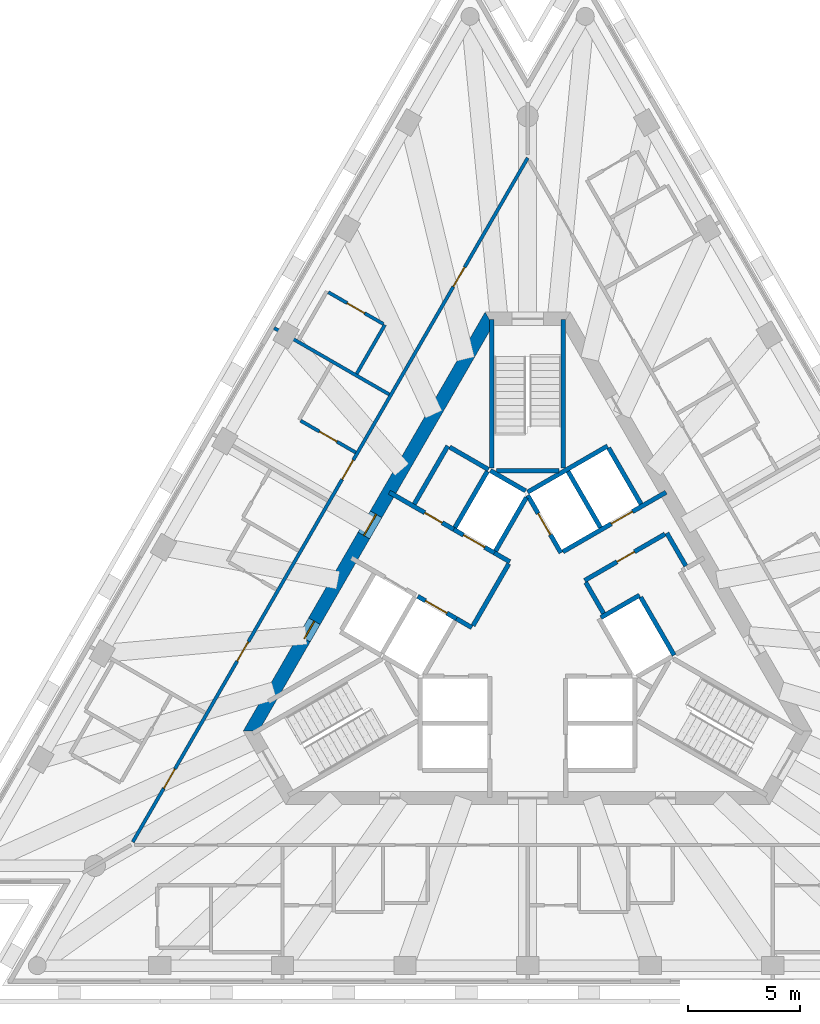
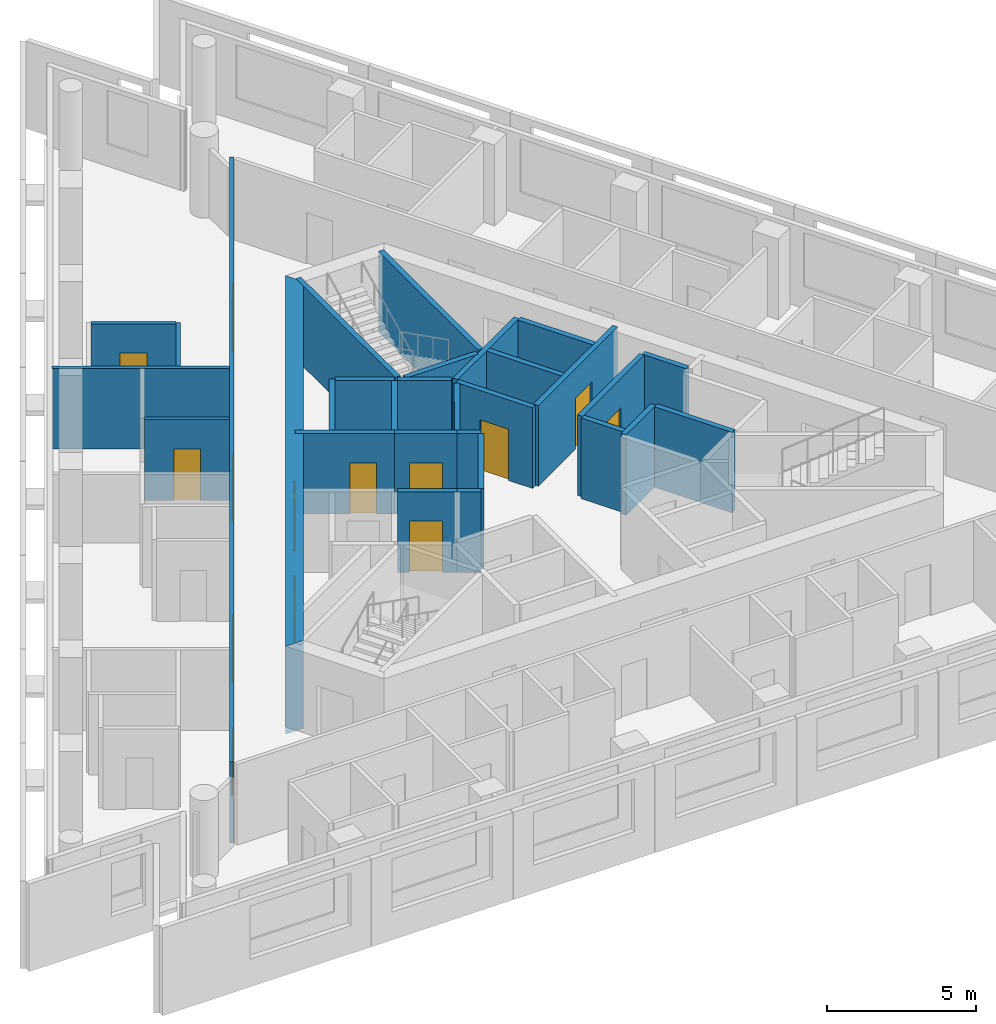
# One storey, part 5 of 9: 30 walls, 14 doors, 14 openings.
"""IFC4 building model written with IfcOpenShell, lengths in metres."""

from ifc_helpers import new_model, si_unit, direction, frame, frame_2d, origin, place, context, subcontext, project, spatial, polyline, rectangle, outline, extrude, material, layer, layer_set, type_object, element, fill, save


model = new_model("IFC4")

# Units and contexts
model_context = context("Model", 3, precision=1e-05, world=origin(), true_north=direction((0.0, 1.0)))
body_context = subcontext(model_context, "Body", "Model", "MODEL_VIEW")
ifc_project = project(units=[si_unit("LENGTHUNIT", "METRE"), si_unit("AREAUNIT", "SQUARE_METRE"), si_unit("VOLUMEUNIT", "CUBIC_METRE"), si_unit("PLANEANGLEUNIT", "RADIAN"), si_unit("MASSUNIT", "GRAM", prefix="KILO")], contexts=[model_context])

# Site, building, storey
site_placement = place(None, origin())
site = spatial("IfcSite", under=ifc_project, at=site_placement, CompositionType="ELEMENT")
building_placement = place(site_placement, origin())
building = spatial("IfcBuilding", under=site, at=building_placement, Name="Triada Interchange Tower", CompositionType="ELEMENT")
storey_placement = place(building_placement, frame((0.0, 0.0, 279.10009765625)))
storey = spatial("IfcBuildingStorey", under=building, at=storey_placement, Name="L65", CompositionType="ELEMENT", Elevation=279.10009765625)

# Wall
ifc_material_1 = material(Name="Concrete C30/37", Category="concrete")
ifc_layer_1 = layer(ifc_material_1, 0.199951171875)
ifc_layer_set_1 = layer_set([ifc_layer_1], Name="CORE WALL 200 EI 120")
wall_type_1 = type_object("IfcWallType", Name="CORE WALL 200 EI 120", PredefinedType="SOLIDWALL", material=ifc_layer_set_1)
wall_1_placement = place(storey_placement, frame((-0.001953125, 5.541015625, 0.0), z_axis=(0.0, 0.0, 1.0), x_axis=(0.86600155993, 0.500041296494, 0.0)))
element("IfcWall", 1, at=wall_1_placement, inside=storey, type_object=wall_type_1, Name="Wall L65 80", PredefinedType="SOLIDWALL", context=body_context, shape_type="SweptSolid", body=[
    extrude(rectangle(XDim=4.131591796875, YDim=0.199951171875, at=frame_2d((2.06591796875, 0.0))), origin(), (0.0, 0.0, 1.0), 3.2998046875),
])

# Wall, opening, door
wall_2_placement = place(storey_placement, frame((0.0, 5.39990234375, 0.0), z_axis=(0.0, 0.0, 1.0), x_axis=(0.500103862429, -0.865965430478, 0.0)))
wall_2 = element("IfcWall", 2, at=wall_2_placement, inside=storey, type_object=wall_type_1, Name="Wall L65 81", PredefinedType="SOLIDWALL", context=body_context, shape_type="SweptSolid", body=[
    extrude(rectangle(XDim=2.973388671875, YDim=0.199951171875, at=frame_2d((1.48681640625, 0.0))), origin(), (0.0, 0.0, 1.0), 3.2998046875),
])
opening_1_placement = place(wall_2_placement, frame((0.93701171875, 0.0, 0.0)))
opening_1 = element("IfcOpeningElement", 3, at=opening_1_placement, cuts=wall_2, Name="Opening LD-HR5", PredefinedType="OPENING", context=body_context, shape_type="SweptSolid", body=[
    extrude(rectangle(XDim=1.10009765625, YDim=2.10009765625, at=frame_2d((0.550048828125, 1.050048828125))), frame((0.0, 0.10986328125, 0.0), z_axis=(0.0, -1.0, 0.0), x_axis=(1.0, 0.0, 0.0)), (0.0, 0.0, 1.0), 0.219970703125),
])
ifc_material_2 = material(Name="Steel S235 door leaf", Category="steel")
door_type_1 = type_object("IfcDoorType", Name="LIFT LANDING DOOR 1100 EI 120", OperationType="SLIDING_TO_LEFT", PredefinedType="DOOR", material=ifc_material_2)
door_1_placement = place(opening_1_placement, origin())
door_1 = element("IfcDoor", 4, at=door_1_placement, inside=storey, type_object=door_type_1, Name="HR5 landing door L65", OperationType="SLIDING_TO_LEFT", OverallHeight=2.10009765625, OverallWidth=1.10009765625, PredefinedType="DOOR", context=body_context, shape_type="SweptSolid", body=[
    extrude(rectangle(XDim=1.10009765625, YDim=2.10009765625, at=frame_2d((0.550048828125, 1.050048828125))), frame((0.0, 0.02490234375, 0.0), z_axis=(0.0, -1.0, 0.0), x_axis=(1.0, 0.0, 0.0)), (0.0, 0.0, 1.0), 0.050048828125),
])
fill(opening_1, door_1)

wall_3_placement = place(storey_placement, frame((1.577880859375, 2.8740234375, 0.0), z_axis=(0.0, 0.0, 1.0), x_axis=(0.866045911672, 0.499964477614, 0.0)))
wall_3 = element("IfcWall", 5, at=wall_3_placement, inside=storey, type_object=wall_type_1, Name="Wall L65 83", PredefinedType="SOLIDWALL", context=body_context, shape_type="SweptSolid", body=[
    extrude(rectangle(XDim=5.32666015625, YDim=0.199951171875, at=frame_2d((2.663330078125, 0.0))), origin(), (0.0, 0.0, 1.0), 3.2998046875),
])
opening_2_placement = place(wall_3_placement, frame((2.49609375, 0.0, 0.0)))
opening_2 = element("IfcOpeningElement", 6, at=opening_2_placement, cuts=wall_3, Name="Opening LD-HR6", PredefinedType="OPENING", context=body_context, shape_type="SweptSolid", body=[
    extrude(rectangle(XDim=1.10009765625, YDim=2.10009765625, at=frame_2d((0.550048828125, 1.050048828125))), frame((0.0, 0.10986328125, 0.0), z_axis=(0.0, -1.0, 0.0), x_axis=(1.0, 0.0, 0.0)), (0.0, 0.0, 1.0), 0.219970703125),
])
door_2_placement = place(opening_2_placement, origin())
door_2 = element("IfcDoor", 7, at=door_2_placement, inside=storey, type_object=door_type_1, Name="HR6 landing door L65", OperationType="SLIDING_TO_LEFT", OverallHeight=2.10009765625, OverallWidth=1.10009765625, PredefinedType="DOOR", context=body_context, shape_type="SweptSolid", body=[
    extrude(rectangle(XDim=1.10009765625, YDim=2.10009765625, at=frame_2d((0.550048828125, 1.050048828125))), frame((0.0, 0.02490234375, 0.0), z_axis=(0.0, -1.0, 0.0), x_axis=(1.0, 0.0, 0.0)), (0.0, 0.0, 1.0), 0.050048828125),
])
fill(opening_2, door_2)

# Walls
wall_4_placement = place(storey_placement, frame((3.278076171875, -0.071044921875, 0.0), z_axis=(0.0, 0.0, 1.0), x_axis=(0.865855657918, 0.500293893279, 0.0)))
element("IfcWall", 8, at=wall_4_placement, inside=storey, type_object=wall_type_1, Name="Wall L65 86", PredefinedType="SOLIDWALL", context=body_context, shape_type="SweptSolid", body=[
    extrude(rectangle(XDim=1.996826171875, YDim=0.199951171875, at=frame_2d((0.99853515625, 0.0))), origin(), (0.0, 0.0, 1.0), 3.2998046875),
])
for number, where, z_axis, x_axis, name in (
    (9, (3.6259765625, 7.52001953125, 0.0), (0.0, 0.0, 1.0), (0.500060147554, -0.865990674793, 0.0), "Wall L65 88"),
    (10, (1.806884765625, 6.469970703125, 0.0), (0.0, 0.0, 1.0), (0.50012328804, -0.865954211699, 0.0), "Wall L65 89"),
):
    element("IfcWall", number, at=place(storey_placement, frame(where, z_axis=z_axis, x_axis=x_axis)), inside=storey, type_object=wall_type_1, Name=name, PredefinedType="SOLIDWALL", context=body_context, shape_type="SweptSolid", body=[
        extrude(rectangle(XDim=2.899658203125, YDim=0.199951171875, at=frame_2d((1.44970703125, 0.0))), origin(), (0.0, 0.0, 1.0), 3.2998046875),
    ])
wall_5_placement = place(storey_placement, frame((5.056884765625, 0.841064453125, 0.0), z_axis=(0.0, 0.0, 1.0), x_axis=(0.499990139034, -0.866031096941, 0.0)))
element("IfcWall", 11, at=wall_5_placement, inside=storey, type_object=wall_type_1, Name="Wall L65 90", PredefinedType="SOLIDWALL", context=body_context, shape_type="SweptSolid", body=[
    extrude(rectangle(XDim=3.0, YDim=0.199951171875, at=frame_2d((1.5, 0.0))), origin(), (0.0, 0.0, 1.0), 3.2998046875),
])
wall_6_placement = place(storey_placement, frame((6.22900390625, 3.7119140625, 0.0), z_axis=(0.0, 0.0, 1.0), x_axis=(0.499875724984, -0.86609714211, 0.0)))
element("IfcWall", 12, at=wall_6_placement, inside=storey, type_object=wall_type_1, Name="Wall L65 92", PredefinedType="SOLIDWALL", context=body_context, shape_type="SweptSolid", body=[
    extrude(rectangle(XDim=1.70068359375, YDim=0.199951171875, at=frame_2d((0.850341796875, 0.0))), origin(), (0.0, 0.0, 1.0), 3.2998046875),
])

# Wall, opening, door
wall_7_placement = place(storey_placement, frame((2.548095703125, 1.5869140625, 0.0), z_axis=(0.0, 0.0, 1.0), x_axis=(0.866004344652, 0.500036473714, 0.0)))
wall_7 = element("IfcWall", 13, at=wall_7_placement, inside=storey, type_object=wall_type_1, Name="Wall L65 93", PredefinedType="SOLIDWALL", context=body_context, shape_type="SweptSolid", body=[
    extrude(rectangle(XDim=4.150146484375, YDim=0.199951171875, at=frame_2d((2.0751953125, 0.0))), origin(), (0.0, 0.0, 1.0), 3.2998046875),
])
opening_3_placement = place(wall_7_placement, frame((1.675048828125, 0.0, 0.0)))
opening_3 = element("IfcOpeningElement", 14, at=opening_3_placement, cuts=wall_7, Name="Opening D65-58", PredefinedType="OPENING", context=body_context, shape_type="SweptSolid", body=[
    extrude(rectangle(XDim=0.89990234375, YDim=2.10009765625, at=frame_2d((0.449951171875, 1.050048828125))), frame((0.0, 0.10986328125, 0.0), z_axis=(0.0, -1.0, 0.0), x_axis=(1.0, 0.0, 0.0)), (0.0, 0.0, 1.0), 0.219970703125),
])
door_type_2 = type_object("IfcDoorType", Name="SERVICE DOOR 900 EI2 45-C5S200", OperationType="NOTDEFINED", PredefinedType="DOOR", material=ifc_material_2)
door_3_placement = place(opening_3_placement, origin())
door_3 = element("IfcDoor", 15, at=door_3_placement, inside=storey, type_object=door_type_2, Name="Door D65-58 L65", OperationType="SINGLE_SWING_RIGHT", OverallHeight=2.10009765625, OverallWidth=0.89990234375, PredefinedType="DOOR", context=body_context, shape_type="SweptSolid", body=[
    extrude(rectangle(XDim=0.89990234375, YDim=2.10009765625, at=frame_2d((0.449951171875, 1.050048828125))), frame((0.0, 0.02490234375, 0.0), z_axis=(0.0, -1.0, 0.0), x_axis=(1.0, 0.0, 0.0)), (0.0, 0.0, 1.0), 0.050048828125),
])
fill(opening_3, door_3)

# Walls
wall_8_placement = place(storey_placement, frame((2.597900390625, 1.5, 0.0), z_axis=(0.0, 0.0, 1.0), x_axis=(0.499929347863, -0.866066190972, 0.0)))
element("IfcWall", 16, at=wall_8_placement, inside=storey, type_object=wall_type_1, Name="Wall L65 94", PredefinedType="SOLIDWALL", context=body_context, shape_type="SweptSolid", body=[
    extrude(rectangle(XDim=1.600341796875, YDim=0.199951171875, at=frame_2d((0.80029296875, 0.0))), origin(), (0.0, 0.0, 1.0), 3.2998046875),
])
ifc_layer_2 = layer(ifc_material_1, 0.199951171875)
ifc_layer_set_2 = layer_set([ifc_layer_2], Name="CORE WALL 200 EI 180")
wall_type_2 = type_object("IfcWallType", Name="CORE WALL 200 EI 180", PredefinedType="SOLIDWALL", material=ifc_layer_set_2)
wall_9_placement = place(storey_placement, frame((-3.18798828125, -0.1220703125, 0.0), z_axis=(0.0, 0.0, 1.0), x_axis=(0.865705793592, -0.50055317294, 0.0)))
element("IfcWall", 17, at=wall_9_placement, inside=storey, type_object=wall_type_2, Name="Wall L65 96", PredefinedType="SOLIDWALL", context=body_context, shape_type="SweptSolid", body=[
    extrude(rectangle(XDim=0.796875, YDim=0.199951171875, at=frame_2d((0.3984375, 0.0))), origin(), (0.0, 0.0, 1.0), 3.2998046875),
])

# Wall, opening, door
wall_10_placement = place(storey_placement, frame((-6.19091796875, 5.537109375, 0.0), z_axis=(0.0, 0.0, 1.0), x_axis=(0.866052607023, -0.499952879648, 0.0)))
wall_10 = element("IfcWall", 18, at=wall_10_placement, inside=storey, type_object=wall_type_2, Name="Wall L65 97", PredefinedType="SOLIDWALL", context=body_context, shape_type="SweptSolid", body=[
    extrude(rectangle(XDim=3.332275390625, YDim=0.199951171875, at=frame_2d((1.666015625, 0.0))), origin(), (0.0, 0.0, 1.0), 3.2998046875),
])
opening_4_placement = place(wall_10_placement, frame((1.830078125, 0.0, 0.0)))
opening_4 = element("IfcOpeningElement", 19, at=opening_4_placement, cuts=wall_10, Name="Opening D65-10", PredefinedType="OPENING", context=body_context, shape_type="SweptSolid", body=[
    extrude(rectangle(XDim=0.89990234375, YDim=2.10009765625, at=frame_2d((0.449951171875, 1.050048828125))), frame((0.0, 0.10986328125, 0.0), z_axis=(0.0, -1.0, 0.0), x_axis=(1.0, 0.0, 0.0)), (0.0, 0.0, 1.0), 0.219970703125),
])
door_type_3 = type_object("IfcDoorType", Name="SERVICE DOOR 900 EI2 90-C5S200", OperationType="NOTDEFINED", PredefinedType="DOOR", material=ifc_material_2)
door_4_placement = place(opening_4_placement, origin())
door_4 = element("IfcDoor", 20, at=door_4_placement, inside=storey, type_object=door_type_3, Name="Door D65-10 L65", OperationType="SINGLE_SWING_LEFT", OverallHeight=2.10009765625, OverallWidth=0.89990234375, PredefinedType="DOOR", context=body_context, shape_type="SweptSolid", body=[
    extrude(rectangle(XDim=0.89990234375, YDim=2.10009765625, at=frame_2d((0.449951171875, 1.050048828125))), frame((0.0, 0.02490234375, 0.0), z_axis=(0.0, -1.0, 0.0), x_axis=(1.0, 0.0, 0.0)), (0.0, 0.0, 1.0), 0.050048828125),
])
fill(opening_4, door_4)

# Walls
wall_11_placement = place(storey_placement, frame((-1.488037109375, 2.822021484375, 0.0), z_axis=(0.0, 0.0, 1.0), x_axis=(0.866236612152, -0.499633997809, 0.0)))
element("IfcWall", 21, at=wall_11_placement, inside=storey, type_object=wall_type_2, Name="Wall L65 98", PredefinedType="SOLIDWALL", context=body_context, shape_type="SweptSolid", body=[
    extrude(rectangle(XDim=0.79638671875, YDim=0.199951171875, at=frame_2d((0.398193359375, 0.0))), origin(), (0.0, 0.0, 1.0), 3.2998046875),
])
wall_12_placement = place(storey_placement, frame((-5.075927734375, 5.009033203125, 0.0), z_axis=(0.0, 0.0, 1.0), x_axis=(0.50002537861, 0.866010750942, 0.0)))
element("IfcWall", 22, at=wall_12_placement, inside=storey, type_object=wall_type_2, Name="Wall L65 99", PredefinedType="SOLIDWALL", context=body_context, shape_type="SweptSolid", body=[
    extrude(rectangle(XDim=2.999755859375, YDim=0.199951171875, at=frame_2d((1.5, 0.0))), origin(), (0.0, 0.0, 1.0), 3.2998046875),
])
wall_13_placement = place(storey_placement, frame((-3.489013671875, 7.556884765625, 0.0), z_axis=(0.0, 0.0, 1.0), x_axis=(0.866010750942, -0.50002537861, 0.0)))
element("IfcWall", 23, at=wall_13_placement, inside=storey, type_object=wall_type_2, Name="Wall L65 100", PredefinedType="SOLIDWALL", context=body_context, shape_type="SweptSolid", body=[
    extrude(rectangle(XDim=2.0, YDim=0.199951171875, at=frame_2d((1.0, 0.0))), origin(), (0.0, 0.0, 1.0), 3.2998046875),
])
wall_14_placement = place(storey_placement, frame((-2.444091796875, -0.43310546875, 0.0), z_axis=(0.0, 0.0, 1.0), x_axis=(0.500035624827, 0.866004834804, 0.0)))
element("IfcWall", 24, at=wall_14_placement, inside=storey, type_object=wall_type_2, Name="Wall L65 101", PredefinedType="SOLIDWALL", context=body_context, shape_type="SweptSolid", body=[
    extrude(rectangle(XDim=3.194091796875, YDim=0.199951171875, at=frame_2d((1.59716796875, 0.0))), origin(), (0.0, 0.0, 1.0), 3.2998046875),
])

# Wall, opening, door
wall_15_placement = place(storey_placement, frame((-4.922119140625, 0.87890625, 0.0), z_axis=(0.0, 0.0, 1.0), x_axis=(0.866073918653, -0.499915960366, 0.0)))
wall_15 = element("IfcWall", 25, at=wall_15_placement, inside=storey, type_object=wall_type_2, Name="Shaft wall FF1 L65 104", PredefinedType="SOLIDWALL", context=body_context, shape_type="SweptSolid", body=[
    extrude(rectangle(XDim=2.002197265625, YDim=0.199951171875, at=frame_2d((1.0009765625, 0.0))), origin(), (0.0, 0.0, 1.0), 3.2998046875),
])
opening_5_placement = place(wall_15_placement, frame((0.402099609375, 0.0, 0.0)))
opening_5 = element("IfcOpeningElement", 26, at=opening_5_placement, cuts=wall_15, Name="Opening LD-FF1", PredefinedType="OPENING", context=body_context, shape_type="SweptSolid", body=[
    extrude(rectangle(XDim=1.10009765625, YDim=2.10009765625, at=frame_2d((0.550048828125, 1.050048828125))), frame((0.0, 0.10986328125, 0.0), z_axis=(0.0, -1.0, 0.0), x_axis=(1.0, 0.0, 0.0)), (0.0, 0.0, 1.0), 0.219970703125),
])
door_5_placement = place(opening_5_placement, origin())
door_5 = element("IfcDoor", 27, at=door_5_placement, inside=storey, type_object=door_type_1, Name="FF1 landing door L65", OperationType="SLIDING_TO_LEFT", OverallHeight=2.10009765625, OverallWidth=1.10009765625, PredefinedType="DOOR", context=body_context, shape_type="SweptSolid", body=[
    extrude(rectangle(XDim=1.10009765625, YDim=2.10009765625, at=frame_2d((0.550048828125, 1.050048828125))), frame((0.0, 0.02490234375, 0.0), z_axis=(0.0, -1.0, 0.0), x_axis=(1.0, 0.0, 0.0)), (0.0, 0.0, 1.0), 0.050048828125),
])
fill(opening_5, door_5)

wall_16_placement = place(storey_placement, frame((-3.30908203125, 3.873046875, 0.0), z_axis=(0.0, 0.0, 1.0), x_axis=(0.866098583652, -0.499873227325, 0.0)))
wall_16 = element("IfcWall", 28, at=wall_16_placement, inside=storey, type_object=wall_type_2, Name="Shaft wall FF2 L65 106", PredefinedType="SOLIDWALL", context=body_context, shape_type="SweptSolid", body=[
    extrude(rectangle(XDim=2.1025390625, YDim=0.199951171875, at=frame_2d((1.05126953125, 0.0))), origin(), (0.0, 0.0, 1.0), 3.2998046875),
])
opening_6_placement = place(wall_16_placement, frame((0.501953125, 0.0, 0.0)))
opening_6 = element("IfcOpeningElement", 29, at=opening_6_placement, cuts=wall_16, Name="Opening LD-FF2", PredefinedType="OPENING", context=body_context, shape_type="SweptSolid", body=[
    extrude(rectangle(XDim=1.10009765625, YDim=2.10009765625, at=frame_2d((0.550048828125, 1.050048828125))), frame((0.0, 0.10986328125, 0.0), z_axis=(0.0, -1.0, 0.0), x_axis=(1.0, 0.0, 0.0)), (0.0, 0.0, 1.0), 0.219970703125),
])
door_6_placement = place(opening_6_placement, origin())
door_6 = element("IfcDoor", 30, at=door_6_placement, inside=storey, type_object=door_type_1, Name="FF2 landing door L65", OperationType="SLIDING_TO_LEFT", OverallHeight=2.10009765625, OverallWidth=1.10009765625, PredefinedType="DOOR", context=body_context, shape_type="SweptSolid", body=[
    extrude(rectangle(XDim=1.10009765625, YDim=2.10009765625, at=frame_2d((0.550048828125, 1.050048828125))), frame((0.0, 0.02490234375, 0.0), z_axis=(0.0, -1.0, 0.0), x_axis=(1.0, 0.0, 0.0)), (0.0, 0.0, 1.0), 0.050048828125),
])
fill(opening_6, door_6)

# Walls
wall_17_placement = place(storey_placement, frame((-3.257080078125, 3.958984375, 0.0), z_axis=(0.0, 0.0, 1.0), x_axis=(0.50012328804, 0.865954211699, 0.0)))
element("IfcWall", 31, at=wall_17_placement, inside=storey, type_object=wall_type_2, Name="Shaft wall FF2 L65 107", PredefinedType="SOLIDWALL", context=body_context, shape_type="SweptSolid", body=[
    extrude(rectangle(XDim=2.899658203125, YDim=0.199951171875, at=frame_2d((1.44970703125, 0.0))), origin(), (0.0, 0.0, 1.0), 3.2998046875),
])
wall_18_placement = place(storey_placement, frame((-1.669921875, 6.507080078125, 0.0), z_axis=(0.0, 0.0, 1.0), x_axis=(0.865941441609, -0.500145398563, 0.0)))
element("IfcWall", 32, at=wall_18_placement, inside=storey, type_object=wall_type_2, Name="Shaft wall FF2 L65 108", PredefinedType="SOLIDWALL", context=body_context, shape_type="SweptSolid", body=[
    extrude(rectangle(XDim=1.8154296875, YDim=0.199951171875, at=frame_2d((0.90771484375, 0.0))), origin(), (0.0, 0.0, 1.0), 3.2998046875),
])
wall_19_placement = place(storey_placement, frame((-1.43798828125, 2.908935546875, 0.0), z_axis=(0.0, 0.0, 1.0), x_axis=(0.499829630636, 0.866123744241, 0.0)))
element("IfcWall", 33, at=wall_19_placement, inside=storey, type_object=wall_type_2, Name="Shaft wall FF2 L65 109", PredefinedType="SOLIDWALL", context=body_context, shape_type="SweptSolid", body=[
    extrude(rectangle(XDim=2.7607421875, YDim=0.199951171875, at=frame_2d((1.38037109375, 0.0))), origin(), (0.0, 0.0, 1.0), 3.2998046875),
])
ifc_layer_3 = layer(ifc_material_1, 0.199951171875)
ifc_layer_set_3 = layer_set([ifc_layer_3], Name="CORE WALL 200 REI 240")
wall_type_3 = type_object("IfcWallType", Name="CORE WALL 200 REI 240", PredefinedType="SOLIDWALL", material=ifc_layer_set_3)
wall_20_placement = place(storey_placement, frame((1.60009765625, 6.614990234375, 0.0), z_axis=(0.0, 0.0, 1.0), x_axis=(0.0, 1.0, 0.0)))
element("IfcWall", 34, at=wall_20_placement, inside=storey, type_object=wall_type_3, Name="Wall L65 118", PredefinedType="SOLIDWALL", context=body_context, shape_type="SweptSolid", body=[
    extrude(rectangle(XDim=6.6650390625, YDim=0.199951171875, at=frame_2d((3.33251953125, 0.0))), origin(), (0.0, 0.0, 1.0), 3.2998046875),
])
wall_21_placement = place(storey_placement, frame((-1.39990234375, 6.5, 0.0), z_axis=(0.0, 0.0, 1.0), x_axis=(1.0, 0.0, 0.0)))
element("IfcWall", 35, at=wall_21_placement, inside=storey, type_object=wall_type_3, Name="Wall L65 119", PredefinedType="SOLIDWALL", context=body_context, shape_type="SweptSolid", body=[
    extrude(rectangle(XDim=2.7998046875, YDim=0.199951171875, at=frame_2d((1.39990234375, 0.0))), origin(), (0.0, 0.0, 1.0), 3.2998046875),
])
wall_22_placement = place(storey_placement, frame((-1.60009765625, 6.614990234375, 0.0), z_axis=(0.0, 0.0, 1.0), x_axis=(0.0, 1.0, 0.0)))
element("IfcWall", 36, at=wall_22_placement, inside=storey, type_object=wall_type_3, Name="Wall L65 120", PredefinedType="SOLIDWALL", context=body_context, shape_type="SweptSolid", body=[
    extrude(rectangle(XDim=6.6650390625, YDim=0.199951171875, at=frame_2d((3.33251953125, 0.0))), origin(), (0.0, 0.0, 1.0), 3.2998046875),
])

# Wall, openings, doors
ifc_material_3 = material(Name="Concrete C40/50", Category="concrete")
ifc_layer_4 = layer(ifc_material_3, 0.60009765625)
ifc_layer_set_4 = layer_set([ifc_layer_4], Name="Core wall D 600")
wall_type_4 = type_object("IfcWallType", Name="Core wall D 600", PredefinedType="SHEAR", material=ifc_layer_set_4)
wall_23_placement = place(storey_placement, frame((-1.73193359375, 13.300048828125, -0.300048828125), z_axis=(0.0, 0.0, 1.0), x_axis=(-0.500000539815, -0.866025092122, 0.0)))
wall_23 = element("IfcWall", 37, at=wall_23_placement, inside=storey, type_object=wall_type_4, Name="Core wall WD02 L65", PredefinedType="SHEAR", context=body_context, shape_type="SweptSolid", body=[
    extrude(outline(polyline([(-0.173095703125, -0.300048828125), (1.795166015625, -0.300048828125), (3.763427734375, -0.30029296875), (5.731689453125, -0.30029296875), (7.699951171875, -0.30029296875), (9.668212890625, -0.300537109375), (11.63671875, -0.300537109375), (13.60498046875, -0.30078125), (15.5732421875, -0.30078125), (17.54150390625, -0.30078125), (19.509765625, -0.301025390625), (21.47802734375, -0.301025390625), (21.131103515625, 0.300048828125), (19.225830078125, 0.300048828125), (17.320556640625, 0.300048828125), (15.415283203125, 0.300048828125), (13.510009765625, 0.300048828125), (11.604736328125, 0.300048828125), (9.699462890625, 0.300048828125), (7.794189453125, 0.300048828125), (5.888916015625, 0.300048828125), (3.983642578125, 0.300048828125), (2.078369140625, 0.300048828125), (0.173095703125, 0.300048828125), (-0.173095703125, -0.300048828125)])), origin(), (0.0, 0.0, 1.0), 3.599853515625),
])
opening_7_placement = place(wall_23_placement, frame((10.10205078125, 0.0, 0.300048828125)))
opening_7 = element("IfcOpeningElement", 38, at=opening_7_placement, cuts=wall_23, Name="Opening D65-52", PredefinedType="OPENING", context=body_context, shape_type="SweptSolid", body=[
    extrude(rectangle(XDim=1.10009765625, YDim=2.10009765625, at=frame_2d((0.550048828125, 1.050048828125))), frame((0.0, 0.31005859375, 0.0), z_axis=(0.0, -1.0, 0.0), x_axis=(1.0, 0.0, 0.0)), (0.0, 0.0, 1.0), 0.62109375),
])
opening_8_placement = place(wall_23_placement, frame((15.626953125, 0.0, 0.300048828125)))
opening_8 = element("IfcOpeningElement", 39, at=opening_8_placement, cuts=wall_23, Name="Opening D65-53", PredefinedType="OPENING", context=body_context, shape_type="SweptSolid", body=[
    extrude(rectangle(XDim=0.89990234375, YDim=2.10009765625, at=frame_2d((0.449951171875, 1.050048828125))), frame((0.0, 0.31005859375, 0.0), z_axis=(0.0, -1.0, 0.0), x_axis=(1.0, 0.0, 0.0)), (0.0, 0.0, 1.0), 0.62109375),
])
door_type_4 = type_object("IfcDoorType", Name="FIRE LOBBY DOOR 1100 EI2 90-C5S200", OperationType="NOTDEFINED", PredefinedType="DOOR", material=ifc_material_2)
door_7_placement = place(opening_7_placement, origin())
door_7 = element("IfcDoor", 40, at=door_7_placement, inside=storey, type_object=door_type_4, Name="Door D65-52 L65", OperationType="SINGLE_SWING_RIGHT", OverallHeight=2.10009765625, OverallWidth=1.10009765625, PredefinedType="DOOR", context=body_context, shape_type="SweptSolid", body=[
    extrude(rectangle(XDim=1.10009765625, YDim=2.10009765625, at=frame_2d((0.550048828125, 1.050048828125))), frame((0.0, 0.02490234375, 0.0), z_axis=(0.0, -1.0, 0.0), x_axis=(1.0, 0.0, 0.0)), (0.0, 0.0, 1.0), 0.050048828125),
])
fill(opening_7, door_7)
door_type_5 = type_object("IfcDoorType", Name="RISER ACCESS DOOR 900 EI2 45-C5S200", OperationType="NOTDEFINED", PredefinedType="DOOR", material=ifc_material_2)
door_8_placement = place(opening_8_placement, origin())
door_8 = element("IfcDoor", 41, at=door_8_placement, inside=storey, type_object=door_type_5, Name="Door D65-53 L65", OperationType="SINGLE_SWING_RIGHT", OverallHeight=2.10009765625, OverallWidth=0.89990234375, PredefinedType="DOOR", context=body_context, shape_type="SweptSolid", body=[
    extrude(rectangle(XDim=0.89990234375, YDim=2.10009765625, at=frame_2d((0.449951171875, 1.050048828125))), frame((0.0, 0.02490234375, 0.0), z_axis=(0.0, -1.0, 0.0), x_axis=(1.0, 0.0, 0.0)), (0.0, 0.0, 1.0), 0.050048828125),
])
fill(opening_8, door_8)

ifc_material_4 = material(Name="Gypsum board partition")
ifc_layer_5 = layer(ifc_material_4, 0.14990234375)
ifc_layer_set_5 = layer_set([ifc_layer_5], Name="PARTITION 150 EI 180")
wall_type_5 = type_object("IfcWallType", Name="PARTITION 150 EI 180", PredefinedType="PARTITIONING", material=ifc_layer_set_5)
wall_24_placement = place(storey_placement, frame((-17.677978515625, -10.118896484375, 0.0), z_axis=(0.0, 0.0, 1.0), x_axis=(0.500003190174, 0.866023561929, 0.0)))
wall_24 = element("IfcWall", 42, at=wall_24_placement, inside=storey, type_object=wall_type_5, Name="Wall L65 4", PredefinedType="PARTITIONING", context=body_context, shape_type="SweptSolid", body=[
    extrude(rectangle(XDim=35.355712890625, YDim=0.14990234375, at=frame_2d((17.677734375, 0.0))), origin(), (0.0, 0.0, 1.0), 3.2998046875),
])
opening_9_placement = place(wall_24_placement, frame((28.7060546875, 0.0, 0.0)))
opening_9 = element("IfcOpeningElement", 43, at=opening_9_placement, cuts=wall_24, Name="Opening D65-38", PredefinedType="OPENING", context=body_context, shape_type="SweptSolid", body=[
    extrude(rectangle(XDim=1.0, YDim=2.10009765625, at=frame_2d((0.5, 1.050048828125))), frame((0.0, 0.0849609375, 0.0), z_axis=(0.0, -1.0, 0.0), x_axis=(1.0, 0.0, 0.0)), (0.0, 0.0, 1.0), 0.169921875),
])
opening_10_placement = place(wall_24_placement, frame((18.739990234375, 0.0, 0.0)))
opening_10 = element("IfcOpeningElement", 44, at=opening_10_placement, cuts=wall_24, Name="Opening D65-40", PredefinedType="OPENING", context=body_context, shape_type="SweptSolid", body=[
    extrude(rectangle(XDim=1.0, YDim=2.10009765625, at=frame_2d((0.5, 1.050048828125))), frame((0.0, 0.0849609375, 0.0), z_axis=(0.0, -1.0, 0.0), x_axis=(1.0, 0.0, 0.0)), (0.0, 0.0, 1.0), 0.169921875),
])
opening_11_placement = place(wall_24_placement, frame((9.35205078125, 0.0, 0.0)))
opening_11 = element("IfcOpeningElement", 45, at=opening_11_placement, cuts=wall_24, Name="Opening D65-42", PredefinedType="OPENING", context=body_context, shape_type="SweptSolid", body=[
    extrude(rectangle(XDim=1.0, YDim=2.10009765625, at=frame_2d((0.5, 1.050048828125))), frame((0.0, 0.0849609375, 0.0), z_axis=(0.0, -1.0, 0.0), x_axis=(1.0, 0.0, 0.0)), (0.0, 0.0, 1.0), 0.169921875),
])
opening_12_placement = place(wall_24_placement, frame((2.777099609375, 0.0, 0.0)))
opening_12 = element("IfcOpeningElement", 46, at=opening_12_placement, cuts=wall_24, Name="Opening D65-45", PredefinedType="OPENING", context=body_context, shape_type="SweptSolid", body=[
    extrude(rectangle(XDim=1.0, YDim=2.10009765625, at=frame_2d((0.5, 1.050048828125))), frame((0.0, 0.0849609375, 0.0), z_axis=(0.0, -1.0, 0.0), x_axis=(1.0, 0.0, 0.0)), (0.0, 0.0, 1.0), 0.169921875),
])
door_type_6 = type_object("IfcDoorType", Name="GUEST ROOM DOOR 1000 EI2 90-C5S200", OperationType="NOTDEFINED", PredefinedType="DOOR", material=ifc_material_2)
door_9_placement = place(opening_9_placement, origin())
door_9 = element("IfcDoor", 47, at=door_9_placement, inside=storey, type_object=door_type_6, Name="Door D65-38 L65", OperationType="SINGLE_SWING_RIGHT", OverallHeight=2.10009765625, OverallWidth=1.0, PredefinedType="DOOR", context=body_context, shape_type="SweptSolid", body=[
    extrude(rectangle(XDim=1.0, YDim=2.10009765625, at=frame_2d((0.5, 1.050048828125))), frame((0.0, 0.02490234375, 0.0), z_axis=(0.0, -1.0, 0.0), x_axis=(1.0, 0.0, 0.0)), (0.0, 0.0, 1.0), 0.050048828125),
])
fill(opening_9, door_9)
door_10_placement = place(opening_10_placement, origin())
door_10 = element("IfcDoor", 48, at=door_10_placement, inside=storey, type_object=door_type_6, Name="Door D65-40 L65", OperationType="SINGLE_SWING_LEFT", OverallHeight=2.10009765625, OverallWidth=1.0, PredefinedType="DOOR", context=body_context, shape_type="SweptSolid", body=[
    extrude(rectangle(XDim=1.0, YDim=2.10009765625, at=frame_2d((0.5, 1.050048828125))), frame((0.0, 0.02490234375, 0.0), z_axis=(0.0, -1.0, 0.0), x_axis=(1.0, 0.0, 0.0)), (0.0, 0.0, 1.0), 0.050048828125),
])
fill(opening_10, door_10)
door_11_placement = place(opening_11_placement, origin())
door_11 = element("IfcDoor", 49, at=door_11_placement, inside=storey, type_object=door_type_6, Name="Door D65-42 L65", OperationType="SINGLE_SWING_LEFT", OverallHeight=2.10009765625, OverallWidth=1.0, PredefinedType="DOOR", context=body_context, shape_type="SweptSolid", body=[
    extrude(rectangle(XDim=1.0, YDim=2.10009765625, at=frame_2d((0.5, 1.050048828125))), frame((0.0, 0.02490234375, 0.0), z_axis=(0.0, -1.0, 0.0), x_axis=(1.0, 0.0, 0.0)), (0.0, 0.0, 1.0), 0.050048828125),
])
fill(opening_11, door_11)
door_12_placement = place(opening_12_placement, origin())
door_12 = element("IfcDoor", 50, at=door_12_placement, inside=storey, type_object=door_type_6, Name="Door D65-45 L65", OperationType="SINGLE_SWING_LEFT", OverallHeight=2.10009765625, OverallWidth=1.0, PredefinedType="DOOR", context=body_context, shape_type="SweptSolid", body=[
    extrude(rectangle(XDim=1.0, YDim=2.10009765625, at=frame_2d((0.5, 1.050048828125))), frame((0.0, 0.02490234375, 0.0), z_axis=(0.0, -1.0, 0.0), x_axis=(1.0, 0.0, 0.0)), (0.0, 0.0, 1.0), 0.050048828125),
])
fill(opening_12, door_12)

# Walls
wall_25_placement = place(storey_placement, frame((-11.35009765625, 12.889892578125, 0.0), z_axis=(0.0, 0.0, 1.0), x_axis=(0.866004483474, -0.50003623329, 0.0)))
element("IfcWall", 51, at=wall_25_placement, inside=storey, type_object=wall_type_5, Name="Wall L65 8", PredefinedType="PARTITIONING", context=body_context, shape_type="SweptSolid", body=[
    extrude(rectangle(XDim=5.94921875, YDim=0.14990234375, at=frame_2d((2.974609375, 0.0))), origin(), (0.0, 0.0, 1.0), 3.2998046875),
])
ifc_layer_6 = layer(ifc_material_4, 0.14990234375)
ifc_layer_set_6 = layer_set([ifc_layer_6], Name="PARTITION 150 EI 90")
wall_type_6 = type_object("IfcWallType", Name="PARTITION 150 EI 90", PredefinedType="PARTITIONING", material=ifc_layer_set_6)
wall_26_placement = place(storey_placement, frame((-7.654052734375, 10.843017578125, 0.0), z_axis=(0.0, 0.0, 1.0), x_axis=(0.499956887143, 0.866050293573, 0.0)))
element("IfcWall", 52, at=wall_26_placement, inside=storey, type_object=wall_type_6, Name="Wall L65 35", PredefinedType="PARTITIONING", context=body_context, shape_type="SweptSolid", body=[
    extrude(rectangle(XDim=2.524169921875, YDim=0.14990234375, at=frame_2d((1.26220703125, 0.0))), origin(), (0.0, 0.0, 1.0), 3.2998046875),
])

# Wall, opening, door
wall_27_placement = place(storey_placement, frame((-10.166015625, 8.741943359375, 0.0), z_axis=(0.0, 0.0, 1.0), x_axis=(0.866004402611, -0.500036373335, 0.0)))
wall_27 = element("IfcWall", 53, at=wall_27_placement, inside=storey, type_object=wall_type_6, Name="Wall L65 53", PredefinedType="PARTITIONING", context=body_context, shape_type="SweptSolid", body=[
    extrude(rectangle(XDim=2.849853515625, YDim=0.14990234375, at=frame_2d((1.4248046875, 0.0))), origin(), (0.0, 0.0, 1.0), 3.2998046875),
])
opening_13_placement = place(wall_27_placement, frame((0.97509765625, 0.0, 0.0)))
opening_13 = element("IfcOpeningElement", 54, at=opening_13_placement, cuts=wall_27, Name="Opening D65-41", PredefinedType="OPENING", context=body_context, shape_type="SweptSolid", body=[
    extrude(rectangle(XDim=0.89990234375, YDim=2.10009765625, at=frame_2d((0.449951171875, 1.050048828125))), frame((0.0, 0.0849609375, 0.0), z_axis=(0.0, -1.0, 0.0), x_axis=(1.0, 0.0, 0.0)), (0.0, 0.0, 1.0), 0.169921875),
])
door_type_7 = type_object("IfcDoorType", Name="ROOM DOOR 900 EI2 45-C5S200", OperationType="NOTDEFINED", PredefinedType="DOOR", material=ifc_material_2)
door_13_placement = place(opening_13_placement, origin())
door_13 = element("IfcDoor", 55, at=door_13_placement, inside=storey, type_object=door_type_7, Name="Door D65-41 L65", OperationType="SINGLE_SWING_RIGHT", OverallHeight=2.10009765625, OverallWidth=0.89990234375, PredefinedType="DOOR", context=body_context, shape_type="SweptSolid", body=[
    extrude(rectangle(XDim=0.89990234375, YDim=2.10009765625, at=frame_2d((0.449951171875, 1.050048828125))), frame((0.0, 0.02490234375, 0.0), z_axis=(0.0, -1.0, 0.0), x_axis=(1.0, 0.0, 0.0)), (0.0, 0.0, 1.0), 0.050048828125),
])
fill(opening_13, door_13)

wall_28_placement = place(storey_placement, frame((-8.925048828125, 14.491943359375, 0.0), z_axis=(0.0, 0.0, 1.0), x_axis=(0.866004402611, -0.500036373335, 0.0)))
wall_28 = element("IfcWall", 56, at=wall_28_placement, inside=storey, type_object=wall_type_6, Name="Wall L65 69", PredefinedType="PARTITIONING", context=body_context, shape_type="SweptSolid", body=[
    extrude(rectangle(XDim=2.849853515625, YDim=0.14990234375, at=frame_2d((1.4248046875, 0.0))), origin(), (0.0, 0.0, 1.0), 3.2998046875),
])
opening_14_placement = place(wall_28_placement, frame((0.97509765625, 0.0, 0.0)))
opening_14 = element("IfcOpeningElement", 57, at=opening_14_placement, cuts=wall_28, Name="Opening D65-39", PredefinedType="OPENING", context=body_context, shape_type="SweptSolid", body=[
    extrude(rectangle(XDim=0.89990234375, YDim=2.10009765625, at=frame_2d((0.449951171875, 1.050048828125))), frame((0.0, 0.0849609375, 0.0), z_axis=(0.0, -1.0, 0.0), x_axis=(1.0, 0.0, 0.0)), (0.0, 0.0, 1.0), 0.169921875),
])
door_14_placement = place(opening_14_placement, origin())
door_14 = element("IfcDoor", 58, at=door_14_placement, inside=storey, type_object=door_type_7, Name="Door D65-39 L65", OperationType="SINGLE_SWING_RIGHT", OverallHeight=2.10009765625, OverallWidth=0.89990234375, PredefinedType="DOOR", context=body_context, shape_type="SweptSolid", body=[
    extrude(rectangle(XDim=0.89990234375, YDim=2.10009765625, at=frame_2d((0.449951171875, 1.050048828125))), frame((0.0, 0.02490234375, 0.0), z_axis=(0.0, -1.0, 0.0), x_axis=(1.0, 0.0, 0.0)), (0.0, 0.0, 1.0), 0.050048828125),
])
fill(opening_14, door_14)

save(model, "model.ifc")
